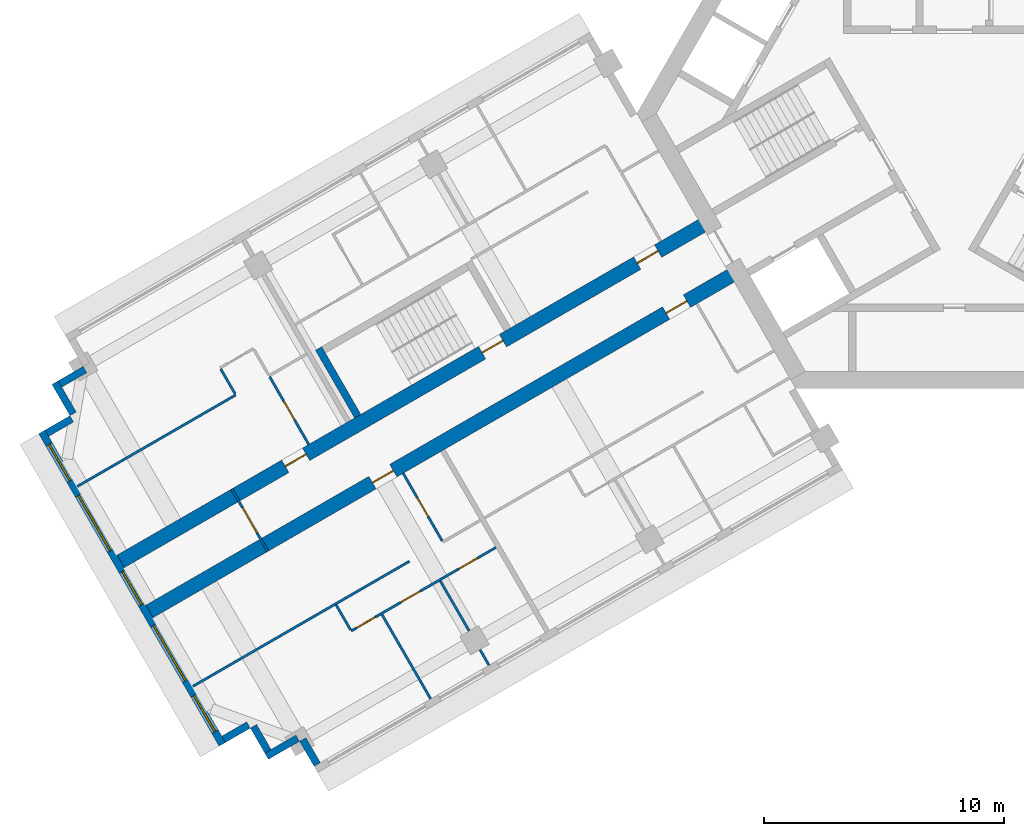
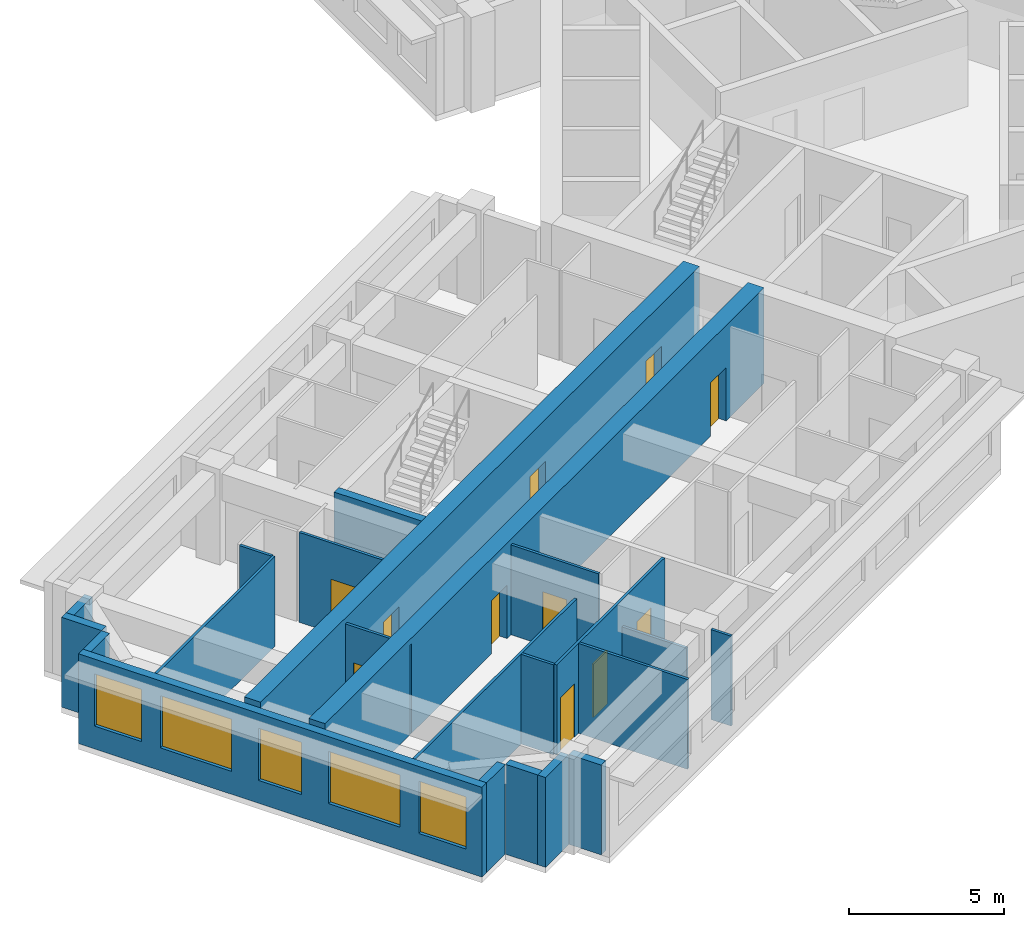
# One storey, part 2 of 11: 22 walls, 11 doors, 5 windows, 16 openings.
"""IFC4 building model written with IfcOpenShell, lengths in metres."""

from ifc_helpers import new_model, si_unit, direction, frame, frame_2d, origin, place, context, subcontext, project, spatial, rectangle, extrude, material, layer, layer_set, type_object, element, fill, save


model = new_model("IFC4")

# Units and contexts
model_context = context("Model", 3, precision=1e-05, world=origin(), true_north=direction((0.0, 1.0)))
body_context = subcontext(model_context, "Body", "Model", "MODEL_VIEW")
ifc_project = project(units=[si_unit("LENGTHUNIT", "METRE"), si_unit("AREAUNIT", "SQUARE_METRE"), si_unit("VOLUMEUNIT", "CUBIC_METRE"), si_unit("PLANEANGLEUNIT", "RADIAN"), si_unit("MASSUNIT", "GRAM", prefix="KILO")], contexts=[model_context])

# Site, building, storey
site_placement = place(None, origin())
site = spatial("IfcSite", under=ifc_project, at=site_placement, CompositionType="ELEMENT")
building_placement = place(site_placement, origin())
building = spatial("IfcBuilding", under=site, at=building_placement, Name="Impinga Residences", CompositionType="ELEMENT")
storey_placement = place(building_placement, frame((0.0, 0.0, 207.25)))
storey = spatial("IfcBuildingStorey", under=building, at=storey_placement, Name="L51", CompositionType="ELEMENT", Elevation=207.25)

# Wall, openings, doors
ifc_material_1 = material(Name="Concrete C60/75", Category="concrete")
ifc_layer_1 = layer(ifc_material_1, 0.60009765625)
ifc_layer_set_1 = layer_set([ifc_layer_1], Name="Concrete C60/75")
wall_type_1 = type_object("IfcWallType", Name="BW3 corridor buttress wall, L46 to L73 600", PredefinedType="SHEAR", material=ifc_layer_set_1)
wall_1_placement = place(storey_placement, frame((-8.996826171875, -6.580078125, 0.0), z_axis=(0.0, 0.0, 1.0), x_axis=(-0.866026415941, -0.499998246889, 0.0)))
wall_1 = element("IfcWall", 1, at=wall_1_placement, inside=storey, type_object=wall_type_1, Name="Corridor wall BW3 WC L51", PredefinedType="SHEAR", context=body_context, shape_type="SweptSolid", body=[
    extrude(rectangle(XDim=28.25, YDim=0.60009765625, at=frame_2d((14.125, 0.0))), origin(), (0.0, 0.0, 1.0), 3.75),
])
opening_1_placement = place(wall_1_placement, frame((2.449951171875, 0.0, 0.0)))
opening_1 = element("IfcOpeningElement", 2, at=opening_1_placement, cuts=wall_1, Name="Opening D1", PredefinedType="OPENING", context=body_context, shape_type="SweptSolid", body=[
    extrude(rectangle(XDim=1.0, YDim=2.10009765625, at=frame_2d((0.5, 1.050048828125))), frame((0.0, 0.31005859375, 0.0), z_axis=(0.0, -1.0, 0.0), x_axis=(1.0, 0.0, 0.0)), (0.0, 0.0, 1.0), 0.6201171875),
])
opening_2_placement = place(wall_1_placement, frame((16.550048828125, 0.0, 0.0)))
opening_2 = element("IfcOpeningElement", 3, at=opening_2_placement, cuts=wall_1, Name="Opening D1", PredefinedType="OPENING", context=body_context, shape_type="SweptSolid", body=[
    extrude(rectangle(XDim=1.0, YDim=2.10009765625, at=frame_2d((0.5, 1.050048828125))), frame((0.0, 0.31005859375, 0.0), z_axis=(0.0, -1.0, 0.0), x_axis=(1.0, 0.0, 0.0)), (0.0, 0.0, 1.0), 0.6201171875),
])
ifc_material_2 = material(Name="Timber door set", Category="wood")
door_type_1 = type_object("IfcDoorType", Name="D1 apartment entrance door 1000x2100", OperationType="SINGLE_SWING_LEFT", PredefinedType="DOOR", material=ifc_material_2)
door_1_placement = place(opening_1_placement, origin())
door_1 = element("IfcDoor", 4, at=door_1_placement, inside=storey, type_object=door_type_1, Name="Apartment L51-WA1 entrance", OperationType="SINGLE_SWING_LEFT", OverallHeight=2.10009765625, OverallWidth=1.0, PredefinedType="DOOR", context=body_context, shape_type="SweptSolid", body=[
    extrude(rectangle(XDim=1.0, YDim=2.10009765625, at=frame_2d((0.5, 1.050048828125))), frame((0.0, 0.02490234375, 0.0), z_axis=(0.0, -1.0, 0.0), x_axis=(1.0, 0.0, 0.0)), (0.0, 0.0, 1.0), 0.050048828125),
])
fill(opening_1, door_1)
door_2_placement = place(opening_2_placement, origin())
door_2 = element("IfcDoor", 5, at=door_2_placement, inside=storey, type_object=door_type_1, Name="Apartment L51-WA2 entrance", OperationType="SINGLE_SWING_RIGHT", OverallHeight=2.10009765625, OverallWidth=1.0, PredefinedType="DOOR", context=body_context, shape_type="SweptSolid", body=[
    extrude(rectangle(XDim=1.0, YDim=2.10009765625, at=frame_2d((0.5, 1.050048828125))), frame((0.0, 0.02490234375, 0.0), z_axis=(0.0, -1.0, 0.0), x_axis=(1.0, 0.0, 0.0)), (0.0, 0.0, 1.0), 0.050048828125),
])
fill(opening_2, door_2)

wall_2_placement = place(storey_placement, frame((-10.19677734375, -4.50146484375, 0.0), z_axis=(0.0, 0.0, 1.0), x_axis=(-0.866026415941, -0.499998246889, 0.0)))
wall_2 = element("IfcWall", 6, at=wall_2_placement, inside=storey, type_object=wall_type_1, Name="Corridor wall BW3 WD L51", PredefinedType="SHEAR", context=body_context, shape_type="SweptSolid", body=[
    extrude(rectangle(XDim=28.25, YDim=0.60009765625, at=frame_2d((14.125, 0.0))), origin(), (0.0, 0.0, 1.0), 3.75),
])
opening_3_placement = place(wall_2_placement, frame((9.89990234375, 0.0, 0.0)))
opening_3 = element("IfcOpeningElement", 7, at=opening_3_placement, cuts=wall_2, Name="Opening D5", PredefinedType="OPENING", context=body_context, shape_type="SweptSolid", body=[
    extrude(rectangle(XDim=1.0, YDim=2.10009765625, at=frame_2d((0.5, 1.050048828125))), frame((0.0, 0.31005859375, 0.0), z_axis=(0.0, -1.0, 0.0), x_axis=(1.0, 0.0, 0.0)), (0.0, 0.0, 1.0), 0.6201171875),
])
opening_4_placement = place(wall_2_placement, frame((2.449951171875, 0.0, 0.0)))
opening_4 = element("IfcOpeningElement", 8, at=opening_4_placement, cuts=wall_2, Name="Opening D1", PredefinedType="OPENING", context=body_context, shape_type="SweptSolid", body=[
    extrude(rectangle(XDim=1.0, YDim=2.10009765625, at=frame_2d((0.5, 1.050048828125))), frame((0.0, 0.31005859375, 0.0), z_axis=(0.0, -1.0, 0.0), x_axis=(1.0, 0.0, 0.0)), (0.0, 0.0, 1.0), 0.6201171875),
])
opening_5_placement = place(wall_2_placement, frame((19.35009765625, 0.0, 0.0)))
opening_5 = element("IfcOpeningElement", 9, at=opening_5_placement, cuts=wall_2, Name="Opening D1", PredefinedType="OPENING", context=body_context, shape_type="SweptSolid", body=[
    extrude(rectangle(XDim=1.0, YDim=2.10009765625, at=frame_2d((0.5, 1.050048828125))), frame((0.0, 0.31005859375, 0.0), z_axis=(0.0, -1.0, 0.0), x_axis=(1.0, 0.0, 0.0)), (0.0, 0.0, 1.0), 0.6201171875),
])
door_3_placement = place(opening_4_placement, origin())
door_3 = element("IfcDoor", 10, at=door_3_placement, inside=storey, type_object=door_type_1, Name="Apartment L51-WF1 entrance", OperationType="SINGLE_SWING_LEFT", OverallHeight=2.10009765625, OverallWidth=1.0, PredefinedType="DOOR", context=body_context, shape_type="SweptSolid", body=[
    extrude(rectangle(XDim=1.0, YDim=2.10009765625, at=frame_2d((0.5, 1.050048828125))), frame((0.0, 0.02490234375, 0.0), z_axis=(0.0, -1.0, 0.0), x_axis=(1.0, 0.0, 0.0)), (0.0, 0.0, 1.0), 0.050048828125),
])
fill(opening_4, door_3)
door_4_placement = place(opening_5_placement, origin())
door_4 = element("IfcDoor", 11, at=door_4_placement, inside=storey, type_object=door_type_1, Name="Apartment L51-WF2 entrance", OperationType="SINGLE_SWING_RIGHT", OverallHeight=2.10009765625, OverallWidth=1.0, PredefinedType="DOOR", context=body_context, shape_type="SweptSolid", body=[
    extrude(rectangle(XDim=1.0, YDim=2.10009765625, at=frame_2d((0.5, 1.050048828125))), frame((0.0, 0.02490234375, 0.0), z_axis=(0.0, -1.0, 0.0), x_axis=(1.0, 0.0, 0.0)), (0.0, 0.0, 1.0), 0.050048828125),
])
fill(opening_5, door_4)
door_type_2 = type_object("IfcDoorType", Name="D5 stair door 1000x2100", OperationType="SINGLE_SWING_LEFT", PredefinedType="DOOR", material=ifc_material_2)
door_5_placement = place(opening_3_placement, origin())
door_5 = element("IfcDoor", 12, at=door_5_placement, inside=storey, type_object=door_type_2, Name="Wing stair door W", OperationType="SINGLE_SWING_LEFT", OverallHeight=2.10009765625, OverallWidth=1.0, PredefinedType="DOOR", context=body_context, shape_type="SweptSolid", body=[
    extrude(rectangle(XDim=1.0, YDim=2.10009765625, at=frame_2d((0.5, 1.050048828125))), frame((0.0, 0.02490234375, 0.0), z_axis=(0.0, -1.0, 0.0), x_axis=(1.0, 0.0, 0.0)), (0.0, 0.0, 1.0), 0.050048828125),
])
fill(opening_3, door_5)

# Wall, opening, door
ifc_material_3 = material(Name="Concrete blockwork", Category="masonry")
ifc_layer_2 = layer(ifc_material_3, 0.10009765625)
ifc_layer_set_2 = layer_set([ifc_layer_2], Name="CP1 core room partition, blockwork 100")
wall_type_2 = type_object("IfcWallType", Name="CP1 core room partition, blockwork 100", PredefinedType="PARTITIONING", material=ifc_layer_set_2)
wall_3_placement = place(storey_placement, frame((-28.549072265625, -18.21484375, 0.0), z_axis=(0.0, 0.0, 1.0), x_axis=(-0.499990139034, 0.866031096941, 0.0)))
wall_3 = element("IfcWall", 13, at=wall_3_placement, inside=storey, type_object=wall_type_2, Name="Core room partition, blockwork L51:W:LNG", PredefinedType="PARTITIONING", context=body_context, shape_type="SweptSolid", body=[
    extrude(rectangle(XDim=3.0, YDim=0.10009765625, at=frame_2d((1.5, 0.0))), origin(), (0.0, 0.0, 1.0), 3.530029296875),
])
opening_6_placement = place(wall_3_placement, frame((0.89990234375, 0.0, 0.0)))
opening_6 = element("IfcOpeningElement", 14, at=opening_6_placement, cuts=wall_3, Name="Opening D3", PredefinedType="OPENING", context=body_context, shape_type="SweptSolid", body=[
    extrude(rectangle(XDim=1.199951171875, YDim=2.10009765625, at=frame_2d((0.60009765625, 1.050048828125))), frame((0.0, 0.06005859375, 0.0), z_axis=(0.0, -1.0, 0.0), x_axis=(1.0, 0.0, 0.0)), (0.0, 0.0, 1.0), 0.1201171875),
])
door_type_3 = type_object("IfcDoorType", Name="D3 room door, leaf and a half 1200x2100", OperationType="DOUBLE_SWING_LEFT", PredefinedType="DOOR", material=ifc_material_2)
door_6_placement = place(opening_6_placement, origin())
door_6 = element("IfcDoor", 15, at=door_6_placement, inside=storey, type_object=door_type_3, Name="Residents' lounge door W", OperationType="DOUBLE_SWING_LEFT", OverallHeight=2.10009765625, OverallWidth=1.199951171875, PredefinedType="DOOR", context=body_context, shape_type="SweptSolid", body=[
    extrude(rectangle(XDim=1.199951171875, YDim=2.10009765625, at=frame_2d((0.60009765625, 1.050048828125))), frame((0.0, 0.02490234375, 0.0), z_axis=(0.0, -1.0, 0.0), x_axis=(1.0, 0.0, 0.0)), (0.0, 0.0, 1.0), 0.050048828125),
])
fill(opening_6, door_6)

# Walls
ifc_material_4 = material(Name="Terracotta rainscreen on blockwork", Category="masonry")
ifc_layer_3 = layer(ifc_material_4, 0.300048828125)
ifc_layer_set_3 = layer_set([ifc_layer_3], Name="EW1 external wall, terracotta rainscreen on blockwork 300")
wall_type_3 = type_object("IfcWallType", Name="EW1 external wall, terracotta rainscreen on blockwork 300", PredefinedType="SOLIDWALL", material=ifc_layer_set_3)
wall_4_placement = place(storey_placement, frame((-26.493896484375, -27.07421875, 0.0), z_axis=(0.0, 0.0, 1.0), x_axis=(-0.500033551112, 0.866006032174, 0.0)))
element("IfcWall", 16, at=wall_4_placement, inside=storey, type_object=wall_type_3, Name="External wall EW1 L51", PredefinedType="SOLIDWALL", context=body_context, shape_type="SweptSolid", body=[
    extrude(rectangle(XDim=1.2001953125, YDim=0.300048828125, at=frame_2d((0.60009765625, 0.0))), origin(), (0.0, 0.0, 1.0), 3.530029296875),
])
wall_5_placement = place(storey_placement, frame((-27.30322265625, -25.982666015625, 0.0), z_axis=(0.0, 0.0, 1.0), x_axis=(-0.866074087889, -0.499915667175, 0.0)))
element("IfcWall", 17, at=wall_5_placement, inside=storey, type_object=wall_type_3, Name="External wall EW1 L51", PredefinedType="SOLIDWALL", context=body_context, shape_type="SweptSolid", body=[
    extrude(rectangle(XDim=1.494873046875, YDim=0.300048828125, at=frame_2d((0.74755859375, 0.0))), origin(), (0.0, 0.0, 1.0), 3.530029296875),
])
wall_6_placement = place(storey_placement, frame((-28.54296875, -26.525146484375, 0.0), z_axis=(0.0, 0.0, 1.0), x_axis=(-0.500033551112, 0.866006032174, 0.0)))
element("IfcWall", 18, at=wall_6_placement, inside=storey, type_object=wall_type_3, Name="External wall EW1 L51", PredefinedType="SOLIDWALL", context=body_context, shape_type="SweptSolid", body=[
    extrude(rectangle(XDim=1.2001953125, YDim=0.300048828125, at=frame_2d((0.60009765625, 0.0))), origin(), (0.0, 0.0, 1.0), 3.530029296875),
])
wall_7_placement = place(storey_placement, frame((-29.352294921875, -25.43359375, 0.0), z_axis=(0.0, 0.0, 1.0), x_axis=(-0.866059708757, -0.499940577336, 0.0)))
element("IfcWall", 19, at=wall_7_placement, inside=storey, type_object=wall_type_3, Name="External wall EW1 L51", PredefinedType="SOLIDWALL", context=body_context, shape_type="SweptSolid", body=[
    extrude(rectangle(XDim=1.195068359375, YDim=0.300048828125, at=frame_2d((0.59765625, 0.0))), origin(), (0.0, 0.0, 1.0), 3.530029296875),
])

# Wall, openings, windows
wall_8_placement = place(storey_placement, frame((-30.44189453125, -26.23583984375, 0.0), z_axis=(0.0, 0.0, 1.0), x_axis=(-0.500004234368, 0.866022959057, 0.0)))
wall_8 = element("IfcWall", 20, at=wall_8_placement, inside=storey, type_object=wall_type_3, Name="External wall EW1 L51", PredefinedType="SOLIDWALL", context=body_context, shape_type="SweptSolid", body=[
    extrude(rectangle(XDim=14.999755859375, YDim=0.300048828125, at=frame_2d((7.5, 0.0))), origin(), (0.0, 0.0, 1.0), 3.530029296875),
])
opening_7_placement = place(wall_8_placement, frame((0.60009765625, 0.0, 0.89990234375)))
opening_7 = element("IfcOpeningElement", 21, at=opening_7_placement, cuts=wall_8, Name="Opening W1", PredefinedType="OPENING", context=body_context, shape_type="SweptSolid", body=[
    extrude(rectangle(XDim=1.75, YDim=2.050048828125, at=frame_2d((0.875, 1.02490234375))), frame((0.0, 0.159912109375, 0.0), z_axis=(0.0, -1.0, 0.0), x_axis=(1.0, 0.0, 0.0)), (0.0, 0.0, 1.0), 0.320068359375),
])
opening_8_placement = place(wall_8_placement, frame((3.050048828125, 0.0, 0.89990234375)))
opening_8 = element("IfcOpeningElement", 22, at=opening_8_placement, cuts=wall_8, Name="Opening W18", PredefinedType="OPENING", context=body_context, shape_type="SweptSolid", body=[
    extrude(rectangle(XDim=2.64990234375, YDim=2.050048828125, at=frame_2d((1.324951171875, 1.02490234375))), frame((0.0, 0.159912109375, 0.0), z_axis=(0.0, -1.0, 0.0), x_axis=(1.0, 0.0, 0.0)), (0.0, 0.0, 1.0), 0.320068359375),
])
opening_9_placement = place(wall_8_placement, frame((6.699951171875, 0.0, 0.89990234375)))
opening_9 = element("IfcOpeningElement", 23, at=opening_9_placement, cuts=wall_8, Name="Opening W19", PredefinedType="OPENING", context=body_context, shape_type="SweptSolid", body=[
    extrude(rectangle(XDim=1.60009765625, YDim=2.050048828125, at=frame_2d((0.800048828125, 1.02490234375))), frame((0.0, 0.159912109375, 0.0), z_axis=(0.0, -1.0, 0.0), x_axis=(1.0, 0.0, 0.0)), (0.0, 0.0, 1.0), 0.320068359375),
])
opening_10_placement = place(wall_8_placement, frame((9.300048828125, 0.0, 0.89990234375)))
opening_10 = element("IfcOpeningElement", 24, at=opening_10_placement, cuts=wall_8, Name="Opening W18", PredefinedType="OPENING", context=body_context, shape_type="SweptSolid", body=[
    extrude(rectangle(XDim=2.64990234375, YDim=2.050048828125, at=frame_2d((1.324951171875, 1.02490234375))), frame((0.0, 0.159912109375, 0.0), z_axis=(0.0, -1.0, 0.0), x_axis=(1.0, 0.0, 0.0)), (0.0, 0.0, 1.0), 0.320068359375),
])
opening_11_placement = place(wall_8_placement, frame((12.64990234375, 0.0, 0.89990234375)))
opening_11 = element("IfcOpeningElement", 25, at=opening_11_placement, cuts=wall_8, Name="Opening W1", PredefinedType="OPENING", context=body_context, shape_type="SweptSolid", body=[
    extrude(rectangle(XDim=1.75, YDim=2.050048828125, at=frame_2d((0.875, 1.02490234375))), frame((0.0, 0.159912109375, 0.0), z_axis=(0.0, -1.0, 0.0), x_axis=(1.0, 0.0, 0.0)), (0.0, 0.0, 1.0), 0.320068359375),
])
ifc_material_5 = material(Name="Aluminium window, clear double glazing", Category="aluminium")
window_type_1 = type_object("IfcWindowType", Name="W1 ribbon window 1750x2050", PartitioningType="SINGLE_PANEL", PredefinedType="WINDOW", material=ifc_material_5)
window_1_placement = place(opening_7_placement, origin())
window_1 = element("IfcWindow", 26, at=window_1_placement, inside=storey, type_object=window_type_1, Name="Window L51", OverallHeight=2.050048828125, OverallWidth=1.75, PartitioningType="SINGLE_PANEL", PredefinedType="WINDOW", context=body_context, shape_type="SweptSolid", body=[
    extrude(rectangle(XDim=1.75, YDim=2.050048828125, at=frame_2d((0.875, 1.02490234375))), frame((0.0, 0.030029296875, 0.0), z_axis=(0.0, -1.0, 0.0), x_axis=(1.0, 0.0, 0.0)), (0.0, 0.0, 1.0), 0.06005859375),
])
fill(opening_7, window_1)
window_2_placement = place(opening_11_placement, origin())
window_2 = element("IfcWindow", 27, at=window_2_placement, inside=storey, type_object=window_type_1, Name="Window L51", OverallHeight=2.050048828125, OverallWidth=1.75, PartitioningType="SINGLE_PANEL", PredefinedType="WINDOW", context=body_context, shape_type="SweptSolid", body=[
    extrude(rectangle(XDim=1.75, YDim=2.050048828125, at=frame_2d((0.875, 1.02490234375))), frame((0.0, 0.030029296875, 0.0), z_axis=(0.0, -1.0, 0.0), x_axis=(1.0, 0.0, 0.0)), (0.0, 0.0, 1.0), 0.06005859375),
])
fill(opening_11, window_2)
window_type_2 = type_object("IfcWindowType", Name="W18 ribbon window 2650x2050", PartitioningType="SINGLE_PANEL", PredefinedType="WINDOW", material=ifc_material_5)
window_3_placement = place(opening_8_placement, origin())
window_3 = element("IfcWindow", 28, at=window_3_placement, inside=storey, type_object=window_type_2, Name="Window L51", OverallHeight=2.050048828125, OverallWidth=2.64990234375, PartitioningType="SINGLE_PANEL", PredefinedType="WINDOW", context=body_context, shape_type="SweptSolid", body=[
    extrude(rectangle(XDim=2.64990234375, YDim=2.050048828125, at=frame_2d((1.324951171875, 1.02490234375))), frame((0.0, 0.030029296875, 0.0), z_axis=(0.0, -1.0, 0.0), x_axis=(1.0, 0.0, 0.0)), (0.0, 0.0, 1.0), 0.06005859375),
])
fill(opening_8, window_3)
window_4_placement = place(opening_10_placement, origin())
window_4 = element("IfcWindow", 29, at=window_4_placement, inside=storey, type_object=window_type_2, Name="Window L51", OverallHeight=2.050048828125, OverallWidth=2.64990234375, PartitioningType="SINGLE_PANEL", PredefinedType="WINDOW", context=body_context, shape_type="SweptSolid", body=[
    extrude(rectangle(XDim=2.64990234375, YDim=2.050048828125, at=frame_2d((1.324951171875, 1.02490234375))), frame((0.0, 0.030029296875, 0.0), z_axis=(0.0, -1.0, 0.0), x_axis=(1.0, 0.0, 0.0)), (0.0, 0.0, 1.0), 0.06005859375),
])
fill(opening_10, window_4)
window_type_3 = type_object("IfcWindowType", Name="W19 ribbon window 1600x2050", PartitioningType="SINGLE_PANEL", PredefinedType="WINDOW", material=ifc_material_5)
window_5_placement = place(opening_9_placement, origin())
window_5 = element("IfcWindow", 30, at=window_5_placement, inside=storey, type_object=window_type_3, Name="Window L51", OverallHeight=2.050048828125, OverallWidth=1.60009765625, PartitioningType="SINGLE_PANEL", PredefinedType="WINDOW", context=body_context, shape_type="SweptSolid", body=[
    extrude(rectangle(XDim=1.60009765625, YDim=2.050048828125, at=frame_2d((0.800048828125, 1.02490234375))), frame((0.0, 0.030029296875, 0.0), z_axis=(0.0, -1.0, 0.0), x_axis=(1.0, 0.0, 0.0)), (0.0, 0.0, 1.0), 0.06005859375),
])
fill(opening_9, window_5)

# Walls
wall_9_placement = place(storey_placement, frame((-37.737060546875, -13.300537109375, 0.0), z_axis=(0.0, 0.0, 1.0), x_axis=(0.865971243484, 0.500093796661, 0.0)))
element("IfcWall", 31, at=wall_9_placement, inside=storey, type_object=wall_type_3, Name="External wall EW1 L51", PredefinedType="SOLIDWALL", context=body_context, shape_type="SweptSolid", body=[
    extrude(rectangle(XDim=1.195068359375, YDim=0.300048828125, at=frame_2d((0.59765625, 0.0))), origin(), (0.0, 0.0, 1.0), 3.530029296875),
])
wall_10_placement = place(storey_placement, frame((-36.64306640625, -12.49560546875, 0.0), z_axis=(0.0, 0.0, 1.0), x_axis=(-0.499990139034, 0.866031096941, 0.0)))
element("IfcWall", 32, at=wall_10_placement, inside=storey, type_object=wall_type_3, Name="External wall EW1 L51", PredefinedType="SOLIDWALL", context=body_context, shape_type="SweptSolid", body=[
    extrude(rectangle(XDim=1.5, YDim=0.300048828125, at=frame_2d((0.75, 0.0))), origin(), (0.0, 0.0, 1.0), 3.530029296875),
])
wall_11_placement = place(storey_placement, frame((-37.18798828125, -11.25146484375, 0.0), z_axis=(0.0, 0.0, 1.0), x_axis=(0.866059708757, 0.499940577336, 0.0)))
element("IfcWall", 33, at=wall_11_placement, inside=storey, type_object=wall_type_3, Name="External wall EW1 L51", PredefinedType="SOLIDWALL", context=body_context, shape_type="SweptSolid", body=[
    extrude(rectangle(XDim=1.195068359375, YDim=0.300048828125, at=frame_2d((0.59765625, 0.0))), origin(), (0.0, 0.0, 1.0), 3.530029296875),
])
ifc_material_6 = material(Name="Gypsum board on steel studs", Category="steel")
ifc_layer_4 = layer(ifc_material_6, 0.10009765625)
ifc_layer_set_4 = layer_set([ifc_layer_4], Name="Gypsum board on steel studs")
wall_type_4 = type_object("IfcWallType", Name="IP1 partition 100", PredefinedType="PARTITIONING", material=ifc_layer_set_4)
wall_12_placement = place(storey_placement, frame((-22.655517578125, -18.622802734375, 0.0), z_axis=(0.0, 0.0, 1.0), x_axis=(-0.866025696342, -0.499999493275, 0.0)))
element("IfcWall", 34, at=wall_12_placement, inside=storey, type_object=wall_type_4, Name="Partition L51-WA2:DIV1", PredefinedType="PARTITIONING", context=body_context, shape_type="SweptSolid", body=[
    extrude(rectangle(XDim=10.39990234375, YDim=0.10009765625, at=frame_2d((5.199951171875, 0.0))), origin(), (0.0, 0.0, 1.0), 3.530029296875),
])

# Wall, openings, doors
wall_13_placement = place(storey_placement, frame((-19.06103515625, -18.048583984375, 0.0), z_axis=(0.0, 0.0, 1.0), x_axis=(-0.866031734426, -0.499989034847, 0.0)))
wall_13 = element("IfcWall", 35, at=wall_13_placement, inside=storey, type_object=wall_type_4, Name="Partition L51-WA2:STRIP", PredefinedType="PARTITIONING", context=body_context, shape_type="SweptSolid", body=[
    extrude(rectangle(XDim=6.949951171875, YDim=0.10009765625, at=frame_2d((3.47509765625, 0.0))), origin(), (0.0, 0.0, 1.0), 3.530029296875),
])
opening_12_placement = place(wall_13_placement, frame((0.875, 0.0, 0.0)))
opening_12 = element("IfcOpeningElement", 36, at=opening_12_placement, cuts=wall_13, Name="Opening D2", PredefinedType="OPENING", context=body_context, shape_type="SweptSolid", body=[
    extrude(rectangle(XDim=0.89990234375, YDim=2.10009765625, at=frame_2d((0.449951171875, 1.050048828125))), frame((0.0, 0.06005859375, 0.0), z_axis=(0.0, -1.0, 0.0), x_axis=(1.0, 0.0, 0.0)), (0.0, 0.0, 1.0), 0.1201171875),
])
opening_13_placement = place(wall_13_placement, frame((3.64990234375, 0.0, 0.0)))
opening_13 = element("IfcOpeningElement", 37, at=opening_13_placement, cuts=wall_13, Name="Opening D2", PredefinedType="OPENING", context=body_context, shape_type="SweptSolid", body=[
    extrude(rectangle(XDim=0.89990234375, YDim=2.10009765625, at=frame_2d((0.449951171875, 1.050048828125))), frame((0.0, 0.06005859375, 0.0), z_axis=(0.0, -1.0, 0.0), x_axis=(1.0, 0.0, 0.0)), (0.0, 0.0, 1.0), 0.1201171875),
])
opening_14_placement = place(wall_13_placement, frame((5.800048828125, 0.0, 0.0)))
opening_14 = element("IfcOpeningElement", 38, at=opening_14_placement, cuts=wall_13, Name="Opening D2", PredefinedType="OPENING", context=body_context, shape_type="SweptSolid", body=[
    extrude(rectangle(XDim=0.89990234375, YDim=2.10009765625, at=frame_2d((0.449951171875, 1.050048828125))), frame((0.0, 0.06005859375, 0.0), z_axis=(0.0, -1.0, 0.0), x_axis=(1.0, 0.0, 0.0)), (0.0, 0.0, 1.0), 0.1201171875),
])
door_type_4 = type_object("IfcDoorType", Name="D2 internal door 900x2100", OperationType="SINGLE_SWING_LEFT", PredefinedType="DOOR", material=ifc_material_2)
door_7_placement = place(opening_12_placement, origin())
door_7 = element("IfcDoor", 39, at=door_7_placement, inside=storey, type_object=door_type_4, Name="Apartment L51-WA2 room door", OperationType="SINGLE_SWING_LEFT", OverallHeight=2.10009765625, OverallWidth=0.89990234375, PredefinedType="DOOR", context=body_context, shape_type="SweptSolid", body=[
    extrude(rectangle(XDim=0.89990234375, YDim=2.10009765625, at=frame_2d((0.449951171875, 1.050048828125))), frame((0.0, 0.02490234375, 0.0), z_axis=(0.0, -1.0, 0.0), x_axis=(1.0, 0.0, 0.0)), (0.0, 0.0, 1.0), 0.050048828125),
])
fill(opening_12, door_7)
door_8_placement = place(opening_13_placement, origin())
door_8 = element("IfcDoor", 40, at=door_8_placement, inside=storey, type_object=door_type_4, Name="Apartment L51-WA2 room door", OperationType="SINGLE_SWING_RIGHT", OverallHeight=2.10009765625, OverallWidth=0.89990234375, PredefinedType="DOOR", context=body_context, shape_type="SweptSolid", body=[
    extrude(rectangle(XDim=0.89990234375, YDim=2.10009765625, at=frame_2d((0.449951171875, 1.050048828125))), frame((0.0, 0.02490234375, 0.0), z_axis=(0.0, -1.0, 0.0), x_axis=(1.0, 0.0, 0.0)), (0.0, 0.0, 1.0), 0.050048828125),
])
fill(opening_13, door_8)
door_9_placement = place(opening_14_placement, origin())
door_9 = element("IfcDoor", 41, at=door_9_placement, inside=storey, type_object=door_type_4, Name="Apartment L51-WA2 room door", OperationType="SINGLE_SWING_RIGHT", OverallHeight=2.10009765625, OverallWidth=0.89990234375, PredefinedType="DOOR", context=body_context, shape_type="SweptSolid", body=[
    extrude(rectangle(XDim=0.89990234375, YDim=2.10009765625, at=frame_2d((0.449951171875, 1.050048828125))), frame((0.0, 0.02490234375, 0.0), z_axis=(0.0, -1.0, 0.0), x_axis=(1.0, 0.0, 0.0)), (0.0, 0.0, 1.0), 0.050048828125),
])
fill(opening_14, door_9)

# Wall
wall_14_placement = place(storey_placement, frame((-25.704833984375, -20.44091796875, 0.0), z_axis=(0.0, 0.0, 1.0), x_axis=(0.500033551112, -0.866006032174, 0.0)))
element("IfcWall", 42, at=wall_14_placement, inside=storey, type_object=wall_type_4, Name="Partition L51-WA2:SE1", PredefinedType="PARTITIONING", context=body_context, shape_type="SweptSolid", body=[
    extrude(rectangle(XDim=1.2001953125, YDim=0.10009765625, at=frame_2d((0.60009765625, 0.0))), origin(), (0.0, 0.0, 1.0), 3.530029296875),
])

# Wall, opening, door
wall_15_placement = place(storey_placement, frame((-22.919921875, -14.96484375, 0.0), z_axis=(0.0, 0.0, 1.0), x_axis=(0.500017246033, -0.866015446554, 0.0)))
wall_15 = element("IfcWall", 43, at=wall_15_placement, inside=storey, type_object=wall_type_4, Name="Partition L51-WA2:IB1", PredefinedType="PARTITIONING", context=body_context, shape_type="SweptSolid", body=[
    extrude(rectangle(XDim=3.25, YDim=0.10009765625, at=frame_2d((1.625, 0.0))), origin(), (0.0, 0.0, 1.0), 3.530029296875),
])
opening_15_placement = place(wall_15_placement, frame((1.175048828125, 0.0, 0.0)))
opening_15 = element("IfcOpeningElement", 44, at=opening_15_placement, cuts=wall_15, Name="Opening D2", PredefinedType="OPENING", context=body_context, shape_type="SweptSolid", body=[
    extrude(rectangle(XDim=0.89990234375, YDim=2.10009765625, at=frame_2d((0.449951171875, 1.050048828125))), frame((0.0, 0.06005859375, 0.0), z_axis=(0.0, -1.0, 0.0), x_axis=(1.0, 0.0, 0.0)), (0.0, 0.0, 1.0), 0.1201171875),
])
door_10_placement = place(opening_15_placement, origin())
door_10 = element("IfcDoor", 45, at=door_10_placement, inside=storey, type_object=door_type_4, Name="Apartment L51-WA2 bathroom door", OperationType="SINGLE_SWING_LEFT", OverallHeight=2.10009765625, OverallWidth=0.89990234375, PredefinedType="DOOR", context=body_context, shape_type="SweptSolid", body=[
    extrude(rectangle(XDim=0.89990234375, YDim=2.10009765625, at=frame_2d((0.449951171875, 1.050048828125))), frame((0.0, 0.02490234375, 0.0), z_axis=(0.0, -1.0, 0.0), x_axis=(1.0, 0.0, 0.0)), (0.0, 0.0, 1.0), 0.050048828125),
])
fill(opening_15, door_10)

# Walls
wall_16_placement = place(storey_placement, frame((-21.374267578125, -19.44189453125, 0.0), z_axis=(0.0, 0.0, 1.0), x_axis=(0.500001309137, -0.866024647952, 0.0)))
element("IfcWall", 46, at=wall_16_placement, inside=storey, type_object=wall_type_4, Name="Partition L51-WA2:OB1", PredefinedType="PARTITIONING", context=body_context, shape_type="SweptSolid", body=[
    extrude(rectangle(XDim=2.39990234375, YDim=0.10009765625, at=frame_2d((1.199951171875, 0.0))), origin(), (0.0, 0.0, 1.0), 2.47998046875),
])
wall_17_placement = place(storey_placement, frame((-19.72412109375, -22.2998046875, 0.0), z_axis=(0.0, 0.0, 1.0), x_axis=(0.500060622324, -0.86599040064, 0.0)))
element("IfcWall", 47, at=wall_17_placement, inside=storey, type_object=wall_type_4, Name="Partition L51-WA2:OB1b", PredefinedType="PARTITIONING", context=body_context, shape_type="SweptSolid", body=[
    extrude(rectangle(XDim=0.75, YDim=0.10009765625, at=frame_2d((0.375, 0.0))), origin(), (0.0, 0.0, 1.0), 3.530029296875),
])
wall_18_placement = place(storey_placement, frame((-23.799072265625, -20.841796875, 0.0), z_axis=(0.0, 0.0, 1.0), x_axis=(0.499990325971, -0.866030989016, 0.0)))
element("IfcWall", 48, at=wall_18_placement, inside=storey, type_object=wall_type_4, Name="Partition L51-WA2:OB2", PredefinedType="PARTITIONING", context=body_context, shape_type="SweptSolid", body=[
    extrude(rectangle(XDim=4.0498046875, YDim=0.10009765625, at=frame_2d((2.02490234375, 0.0))), origin(), (0.0, 0.0, 1.0), 3.530029296875),
])
wall_19_placement = place(storey_placement, frame((-29.88037109375, -11.708740234375, 0.0), z_axis=(0.0, 0.0, 1.0), x_axis=(-0.866022425744, -0.500005158081, 0.0)))
element("IfcWall", 49, at=wall_19_placement, inside=storey, type_object=wall_type_4, Name="Partition L51-WF2:DIV1", PredefinedType="PARTITIONING", context=body_context, shape_type="SweptSolid", body=[
    extrude(rectangle(XDim=7.60009765625, YDim=0.10009765625, at=frame_2d((3.800048828125, 0.0))), origin(), (0.0, 0.0, 1.0), 3.530029296875),
])
wall_20_placement = place(storey_placement, frame((-29.9052734375, -11.66552734375, 0.0), z_axis=(0.0, 0.0, 1.0), x_axis=(-0.500033551112, 0.866006032174, 0.0)))
element("IfcWall", 50, at=wall_20_placement, inside=storey, type_object=wall_type_4, Name="Partition L51-WF2:SE1", PredefinedType="PARTITIONING", context=body_context, shape_type="SweptSolid", body=[
    extrude(rectangle(XDim=1.2001953125, YDim=0.10009765625, at=frame_2d((0.60009765625, 0.0))), origin(), (0.0, 0.0, 1.0), 3.530029296875),
])

# Wall, opening, door
wall_21_placement = place(storey_placement, frame((-26.8447265625, -13.766845703125, 0.0), z_axis=(0.0, 0.0, 1.0), x_axis=(-0.499984717929, 0.866034226713, 0.0)))
wall_21 = element("IfcWall", 51, at=wall_21_placement, inside=storey, type_object=wall_type_4, Name="Partition L51-WF2:IB1", PredefinedType="PARTITIONING", context=body_context, shape_type="SweptSolid", body=[
    extrude(rectangle(XDim=3.25, YDim=0.10009765625, at=frame_2d((1.625, 0.0))), origin(), (0.0, 0.0, 1.0), 3.530029296875),
])
opening_16_placement = place(wall_21_placement, frame((1.175048828125, 0.0, 0.0)))
opening_16 = element("IfcOpeningElement", 52, at=opening_16_placement, cuts=wall_21, Name="Opening D2", PredefinedType="OPENING", context=body_context, shape_type="SweptSolid", body=[
    extrude(rectangle(XDim=0.89990234375, YDim=2.10009765625, at=frame_2d((0.449951171875, 1.050048828125))), frame((0.0, 0.06005859375, 0.0), z_axis=(0.0, -1.0, 0.0), x_axis=(1.0, 0.0, 0.0)), (0.0, 0.0, 1.0), 0.1201171875),
])
door_11_placement = place(opening_16_placement, origin())
door_11 = element("IfcDoor", 53, at=door_11_placement, inside=storey, type_object=door_type_4, Name="Apartment L51-WF2 bathroom door", OperationType="SINGLE_SWING_LEFT", OverallHeight=2.10009765625, OverallWidth=0.89990234375, PredefinedType="DOOR", context=body_context, shape_type="SweptSolid", body=[
    extrude(rectangle(XDim=0.89990234375, YDim=2.10009765625, at=frame_2d((0.449951171875, 1.050048828125))), frame((0.0, 0.02490234375, 0.0), z_axis=(0.0, -1.0, 0.0), x_axis=(1.0, 0.0, 0.0)), (0.0, 0.0, 1.0), 0.050048828125),
])
fill(opening_16, door_11)

# Wall
ifc_layer_5 = layer(ifc_material_1, 0.300048828125)
ifc_layer_set_5 = layer_set([ifc_layer_5], Name="Concrete C60/75")
wall_type_5 = type_object("IfcWallType", Name="SE1 wing stair enclosure wall 300", PredefinedType="SOLIDWALL", material=ifc_layer_set_5)
wall_22_placement = place(storey_placement, frame((-24.8095703125, -12.591796875, 0.0), z_axis=(0.0, 0.0, 1.0), x_axis=(-0.499984717929, 0.866034226713, 0.0)))
element("IfcWall", 54, at=wall_22_placement, inside=storey, type_object=wall_type_5, Name="Stair enclosure wall SE1 W END1 L51", PredefinedType="SOLIDWALL", context=body_context, shape_type="SweptSolid", body=[
    extrude(rectangle(XDim=3.25, YDim=0.300048828125, at=frame_2d((1.625, 0.0))), origin(), (0.0, 0.0, 1.0), 3.75),
])

save(model, "model.ifc")
